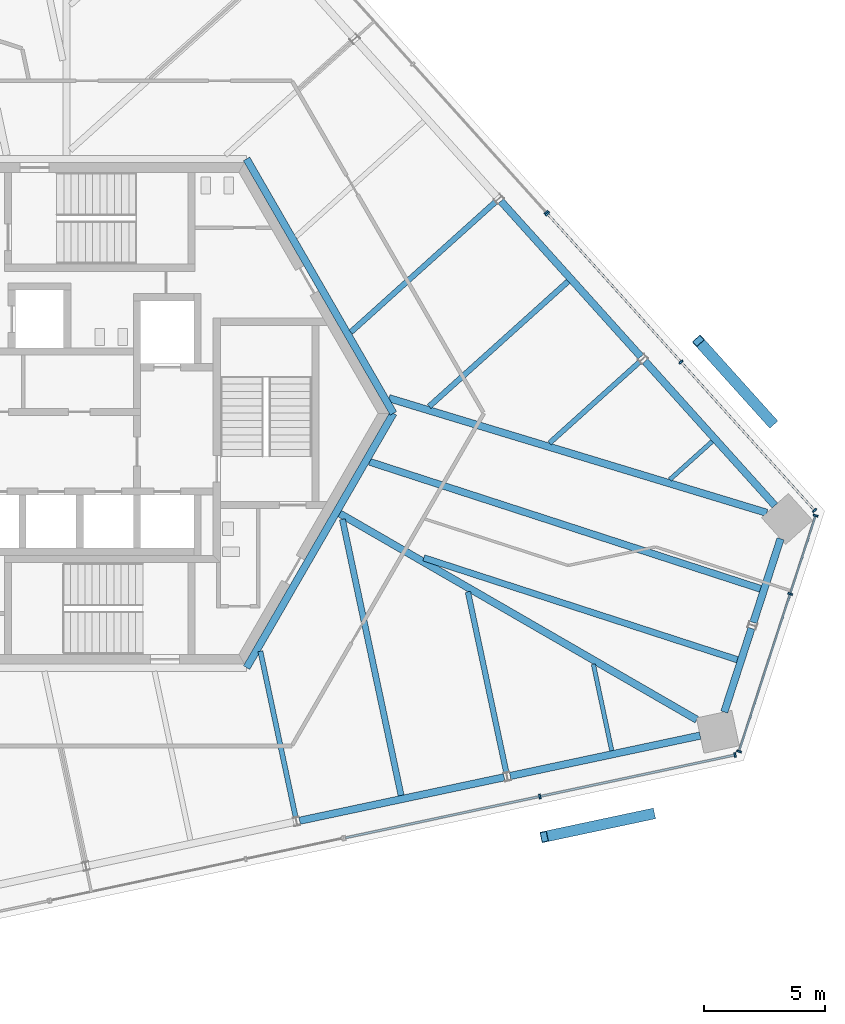
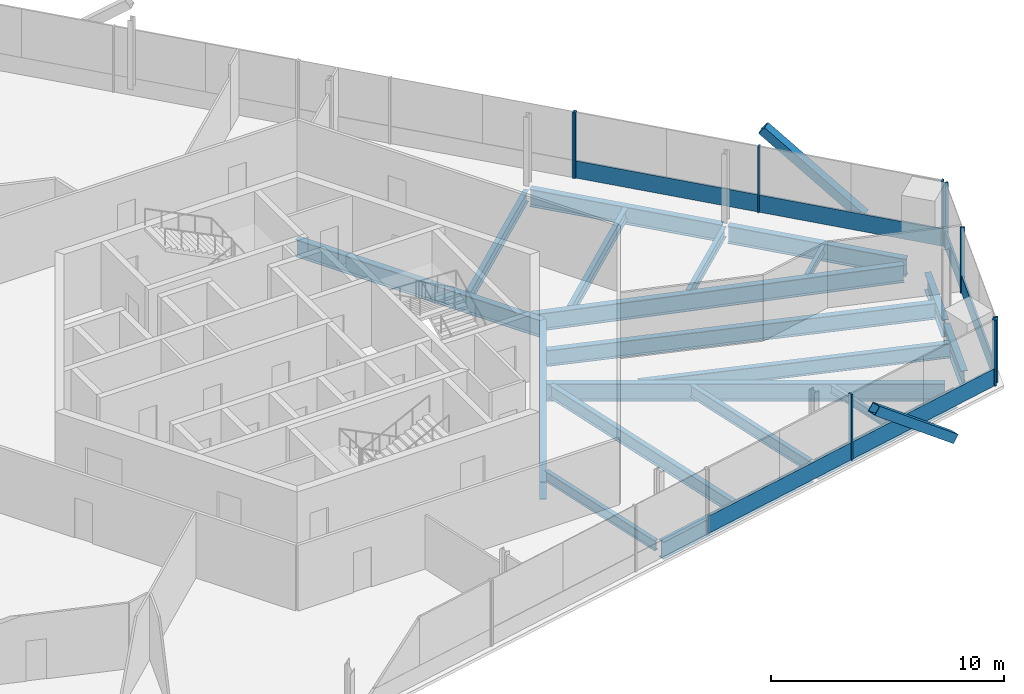
# One storey, part 6 of 14: 20 beams, 17 members, 4 elements without a shape of their own.
"""IFC4 building model written with IfcOpenShell, lengths in metres."""

from ifc_helpers import new_model, si_unit, direction, frame, origin, origin_2d, place, context, subcontext, project, spatial, rectangle, hollow_rectangle, i_section, extrude, source, transform, mapped, material, material_profile, profile_set, type_object, element, aggregate, save


model = new_model("IFC4")

# Units and contexts
model_context = context("Model", 3, precision=1e-05, world=origin(), true_north=direction((0.0, 1.0)))
body_context = subcontext(model_context, "Body", "Model", "MODEL_VIEW")
ifc_project = project(units=[si_unit("LENGTHUNIT", "METRE"), si_unit("AREAUNIT", "SQUARE_METRE"), si_unit("VOLUMEUNIT", "CUBIC_METRE"), si_unit("PLANEANGLEUNIT", "RADIAN"), si_unit("MASSUNIT", "GRAM", prefix="KILO")], contexts=[model_context])

# Site, building, storey
site_placement = place(None, origin())
site = spatial("IfcSite", under=ifc_project, at=site_placement, CompositionType="ELEMENT")
building_placement = place(site_placement, origin())
building = spatial("IfcBuilding", under=site, at=building_placement, Name="Triune Harvest Tower", CompositionType="ELEMENT")
storey_placement = place(building_placement, frame((0.0, 0.0, 263.10009765625)))
storey = spatial("IfcBuildingStorey", under=building, at=storey_placement, Name="L69", CompositionType="ELEMENT", Elevation=263.10009765625)

# Beams
ifc_material_1 = material(Name="Steel ASTM A992 Gr 50", Category="steel")
ifc_material_profile_1 = material_profile(ifc_material_1, i_section(OverallWidth=0.3046875, OverallDepth=0.914306640625, WebThickness=0.0166015625, FlangeThickness=0.02587890625, at=origin_2d()), Name="W36x160")
ifc_profile_set_1 = profile_set([ifc_material_profile_1], Name="Steel ASTM A992 Gr 50")
beam_type_1 = type_object("IfcBeamType", Name="CG-1 Core ring girder W36x160", PredefinedType="BEAM", material=ifc_profile_set_1)
shared_shape_1 = source(origin(), body_context, "Body", "SweptSolid", [
    extrude(i_section(OverallWidth=0.3046875, OverallDepth=0.914306640625, WebThickness=0.0166015625, FlangeThickness=0.02587890625, at=origin_2d()), origin(), (0.0, 0.0, 1.0), 12.176025390625),
])
for number, where, z_axis, x_axis, name in (
    (1, (12.176025390625, 0.0, -0.6171875), (-0.5000099932, 0.866019634131, 0.0), (-0.866019634131, -0.5000099932, 0.0), "beam/L69/CG1"),
    (2, (6.087890625, -10.544677734375, -0.6171875), (0.5000099932, 0.866019634131, 0.0), (-0.866019634131, 0.5000099932, 0.0), "beam/L69/CG6"),
):
    element("IfcBeam", number, at=place(storey_placement, frame(where, z_axis=z_axis, x_axis=x_axis)), inside=storey, type_object=beam_type_1, Name=name, PredefinedType="BEAM", context=body_context, shape_type="MappedRepresentation", body=[
        mapped(shared_shape_1, transform((0.0, 0.0, 0.0), scale=1.0)),
    ])
ifc_material_2 = material(Name="Steel ASTM A992 Gr 50", Category="steel")
ifc_material_profile_2 = material_profile(ifc_material_2, i_section(OverallWidth=0.3046875, OverallDepth=0.914306640625, WebThickness=0.0166015625, FlangeThickness=0.02587890625, at=origin_2d()), Name="W36x160")
ifc_profile_set_2 = profile_set([ifc_material_profile_2], Name="Steel ASTM A992 Gr 50")
beam_type_2 = type_object("IfcBeamType", Name="SB-1 Spandrel beam W36x160", PredefinedType="SPANDREL", material=ifc_profile_set_2)
shared_shape_2 = source(origin(), body_context, "Body", "SweptSolid", [
    extrude(i_section(OverallWidth=0.3046875, OverallDepth=0.914306640625, WebThickness=0.0166015625, FlangeThickness=0.02587890625, at=origin_2d()), origin(), (0.0, 0.0, 1.0), 8.0498046875),
])
beam_1_placement = place(storey_placement, frame((27.991455078125, -3.82177734375, -0.6171875), z_axis=(-0.669137301084, 0.743138797465, 0.0), x_axis=(-0.743138797465, -0.669137301084, 0.0)))
element("IfcBeam", 3, at=beam_1_placement, inside=storey, type_object=beam_type_2, Name="beam/L69/SB1", PredefinedType="SPANDREL", context=body_context, shape_type="MappedRepresentation", body=[
    mapped(shared_shape_2, transform((0.0, 0.0, 0.0), scale=1.0)),
])
shared_shape_3 = source(origin(), body_context, "Body", "SweptSolid", [
    extrude(i_section(OverallWidth=0.3046875, OverallDepth=0.914306640625, WebThickness=0.0166015625, FlangeThickness=0.02587890625, at=origin_2d()), origin(), (0.0, 0.0, 1.0), 8.671630859375),
])
beam_2_placement = place(storey_placement, frame((22.433349609375, 2.350830078125, -0.6171875), z_axis=(-0.669114044563, 0.743159737452, 0.0), x_axis=(-0.743159737452, -0.669114044563, 0.0)))
element("IfcBeam", 4, at=beam_2_placement, inside=storey, type_object=beam_type_2, Name="beam/L69/SB2", PredefinedType="SPANDREL", context=body_context, shape_type="MappedRepresentation", body=[
    mapped(shared_shape_3, transform((0.0, 0.0, 0.0), scale=1.0)),
])
shared_shape_4 = source(origin(), body_context, "Body", "SweptSolid", [
    extrude(i_section(OverallWidth=0.3046875, OverallDepth=0.914306640625, WebThickness=0.0166015625, FlangeThickness=0.02587890625, at=origin_2d()), origin(), (0.0, 0.0, 1.0), 8.67138671875),
])
beam_3_placement = place(storey_placement, frame((8.28515625, -16.890869140625, -0.6171875), z_axis=(0.978145539793, 0.207921386546, 0.0), x_axis=(-0.207921386546, 0.978145539793, 0.0)))
element("IfcBeam", 5, at=beam_3_placement, inside=storey, type_object=beam_type_2, Name="beam/L69/SB18", PredefinedType="SPANDREL", context=body_context, shape_type="MappedRepresentation", body=[
    mapped(shared_shape_4, transform((0.0, 0.0, 0.0), scale=1.0)),
])
shared_shape_5 = source(origin(), body_context, "Body", "SweptSolid", [
    extrude(i_section(OverallWidth=0.3046875, OverallDepth=0.914306640625, WebThickness=0.0166015625, FlangeThickness=0.02587890625, at=origin_2d()), origin(), (0.0, 0.0, 1.0), 3.645751953125),
])
for number, where, z_axis, x_axis, name in (
    (6, (25.89306640625, -12.38134765625, -0.6171875), (0.309046702753, 0.951046862945, 0.0), (-0.951046862945, 0.309046702753, 0.0), "beam/L69/SB20"),
    (7, (27.09912109375, -8.670166015625, -0.6171875), (0.308986131058, 0.951066543841, 0.0), (-0.951066543841, 0.308986131058, 0.0), "beam/L69/SB21"),
):
    element("IfcBeam", number, at=place(storey_placement, frame(where, z_axis=z_axis, x_axis=x_axis)), inside=storey, type_object=beam_type_2, Name=name, PredefinedType="SPANDREL", context=body_context, shape_type="MappedRepresentation", body=[
        mapped(shared_shape_5, transform((0.0, 0.0, 0.0), scale=1.0)),
    ])
shared_shape_6 = source(origin(), body_context, "Body", "SweptSolid", [
    extrude(i_section(OverallWidth=0.3046875, OverallDepth=0.914306640625, WebThickness=0.0166015625, FlangeThickness=0.02587890625, at=origin_2d()), origin(), (0.0, 0.0, 1.0), 8.049560546875),
])
beam_4_placement = place(storey_placement, frame((17.01806640625, -15.034423828125, -0.6171875), z_axis=(0.978148597907, 0.207906999431, 0.0), x_axis=(-0.207906999431, 0.978148597907, 0.0)))
element("IfcBeam", 8, at=beam_4_placement, inside=storey, type_object=beam_type_2, Name="beam/L69/SB19", PredefinedType="SPANDREL", context=body_context, shape_type="MappedRepresentation", body=[
    mapped(shared_shape_6, transform((0.0, 0.0, 0.0), scale=1.0)),
])
ifc_material_3 = material(Name="Steel ASTM A992 Gr 50", Category="steel")
ifc_material_profile_3 = material_profile(ifc_material_3, i_section(OverallWidth=0.3046875, OverallDepth=0.914306640625, WebThickness=0.0166015625, FlangeThickness=0.02587890625, at=origin_2d()), Name="W36x160")
ifc_profile_set_3 = profile_set([ifc_material_profile_3], Name="Steel ASTM A992 Gr 50")
beam_type_3 = type_object("IfcBeamType", Name="HG-3 Hip girder W36x160", PredefinedType="BEAM", material=ifc_profile_set_3)
shared_shape_7 = source(origin(), body_context, "Body", "SweptSolid", [
    extrude(i_section(OverallWidth=0.3046875, OverallDepth=0.914306640625, WebThickness=0.0166015625, FlangeThickness=0.02587890625, at=origin_2d()), origin(), (0.0, 0.0, 1.0), 16.370361328125),
])
beam_5_placement = place(storey_placement, frame((27.65478515625, -4.124755859375, -0.6171875), z_axis=(-0.956924757428, 0.29033602708, 0.0), x_axis=(-0.29033602708, -0.956924757428, 0.0)))
element("IfcBeam", 9, at=beam_5_placement, inside=storey, type_object=beam_type_3, Name="beam/L69/HG1", PredefinedType="BEAM", context=body_context, shape_type="MappedRepresentation", body=[
    mapped(shared_shape_7, transform((0.0, 0.0, 0.0), scale=1.0)),
])
shared_shape_8 = source(origin(), body_context, "Body", "SweptSolid", [
    extrude(i_section(OverallWidth=0.3046875, OverallDepth=0.914306640625, WebThickness=0.0166015625, FlangeThickness=0.02587890625, at=origin_2d()), origin(), (0.0, 0.0, 1.0), 17.088623046875),
])
beam_6_placement = place(storey_placement, frame((24.75146484375, -12.700439453125, -0.6171875), z_axis=(-0.866020709961, 0.500008129852, 0.0), x_axis=(-0.500008129852, -0.866020709961, 0.0)))
element("IfcBeam", 10, at=beam_6_placement, inside=storey, type_object=beam_type_3, Name="beam/L69/HG8", PredefinedType="BEAM", context=body_context, shape_type="MappedRepresentation", body=[
    mapped(shared_shape_8, transform((0.0, 0.0, 0.0), scale=1.0)),
])
ifc_material_4 = material(Name="Steel ASTM A992 Gr 50", Category="steel")
ifc_material_profile_4 = material_profile(ifc_material_4, i_section(OverallWidth=0.180908203125, OverallDepth=0.41650390625, WebThickness=0.010986328125, FlangeThickness=0.01806640625, at=origin_2d()), Name="W16x57")
ifc_profile_set_4 = profile_set([ifc_material_profile_4], Name="Steel ASTM A992 Gr 50")
beam_type_4 = type_object("IfcBeamType", Name="JT-1 Floor joist W16x57", PredefinedType="JOIST", material=ifc_profile_set_4)
shared_shape_9 = source(origin(), body_context, "Body", "SweptSolid", [
    extrude(i_section(OverallWidth=0.180908203125, OverallDepth=0.41650390625, WebThickness=0.010986328125, FlangeThickness=0.01806640625, at=origin_2d()), origin(), (0.0, 0.0, 1.0), 2.364990234375),
])
beam_7_placement = place(storey_placement, frame((25.39306640625, -1.163818359375, -0.368408203125), z_axis=(-0.743196605909, -0.669073093888, 0.0), x_axis=(0.669073093888, -0.743196605909, 0.0)))
element("IfcBeam", 11, at=beam_7_placement, inside=storey, type_object=beam_type_4, Name="beam/L69/JT1", PredefinedType="JOIST", context=body_context, shape_type="MappedRepresentation", body=[
    mapped(shared_shape_9, transform((0.0, 0.0, 0.0), scale=1.0)),
])
ifc_material_5 = material(Name="Steel ASTM A992 Gr 50", Category="steel")
ifc_material_profile_5 = material_profile(ifc_material_5, i_section(OverallWidth=0.2099609375, OverallDepth=0.535888671875, WebThickness=0.010986328125, FlangeThickness=0.017333984375, at=origin_2d()), Name="W21x68")
ifc_profile_set_5 = profile_set([ifc_material_profile_5], Name="Steel ASTM A992 Gr 50")
beam_type_5 = type_object("IfcBeamType", Name="JT-2 Floor joist W21x68", PredefinedType="JOIST", material=ifc_profile_set_5)
shared_shape_10 = source(origin(), body_context, "Body", "SweptSolid", [
    extrude(i_section(OverallWidth=0.2099609375, OverallDepth=0.535888671875, WebThickness=0.010986328125, FlangeThickness=0.017333984375, at=origin_2d()), origin(), (0.0, 0.0, 1.0), 5.031982421875),
])
beam_8_placement = place(storey_placement, frame((22.38525390625, 2.135009765625, -0.427978515625), z_axis=(-0.743132491089, -0.669144304831, 0.0), x_axis=(0.669144304831, -0.743132491089, 0.0)))
element("IfcBeam", 12, at=beam_8_placement, inside=storey, type_object=beam_type_5, Name="beam/L69/JT2", PredefinedType="JOIST", context=body_context, shape_type="MappedRepresentation", body=[
    mapped(shared_shape_10, transform((0.0, 0.0, 0.0), scale=1.0)),
])
ifc_material_6 = material(Name="Steel ASTM A992 Gr 50", Category="steel")
ifc_material_profile_6 = material_profile(ifc_material_6, i_section(OverallWidth=0.22900390625, OverallDepth=0.612060546875, WebThickness=0.011962890625, FlangeThickness=0.01953125, at=origin_2d()), Name="W24x84")
ifc_profile_set_6 = profile_set([ifc_material_profile_6], Name="Steel ASTM A992 Gr 50")
beam_type_6 = type_object("IfcBeamType", Name="JT-3 Floor joist W24x84", PredefinedType="JOIST", material=ifc_profile_set_6)
shared_shape_11 = source(origin(), body_context, "Body", "SweptSolid", [
    extrude(i_section(OverallWidth=0.22900390625, OverallDepth=0.612060546875, WebThickness=0.011962890625, FlangeThickness=0.01953125, at=origin_2d()), origin(), (0.0, 0.0, 1.0), 7.755126953125),
])
beam_9_placement = place(storey_placement, frame((19.4189453125, 5.470947265625, -0.46630859375), z_axis=(-0.743143852868, -0.66913168655, 0.0), x_axis=(0.66913168655, -0.743143852868, 0.0)))
element("IfcBeam", 13, at=beam_9_placement, inside=storey, type_object=beam_type_6, Name="beam/L69/JT3", PredefinedType="JOIST", context=body_context, shape_type="MappedRepresentation", body=[
    mapped(shared_shape_11, transform((0.0, 0.0, 0.0), scale=1.0)),
])
shared_shape_12 = source(origin(), body_context, "Body", "SweptSolid", [
    extrude(i_section(OverallWidth=0.22900390625, OverallDepth=0.612060546875, WebThickness=0.011962890625, FlangeThickness=0.01953125, at=origin_2d()), origin(), (0.0, 0.0, 1.0), 8.076904296875),
])
beam_10_placement = place(storey_placement, frame((16.4111328125, 8.769775390625, -0.46630859375), z_axis=(-0.743136309392, -0.669140064308, 0.0), x_axis=(0.669140064308, -0.743136309392, 0.0)))
element("IfcBeam", 14, at=beam_10_placement, inside=storey, type_object=beam_type_6, Name="beam/L69/JT4", PredefinedType="JOIST", context=body_context, shape_type="MappedRepresentation", body=[
    mapped(shared_shape_12, transform((0.0, 0.0, 0.0), scale=1.0)),
])
shared_shape_13 = source(origin(), body_context, "Body", "SweptSolid", [
    extrude(i_section(OverallWidth=0.2099609375, OverallDepth=0.535888671875, WebThickness=0.010986328125, FlangeThickness=0.017333984375, at=origin_2d()), origin(), (0.0, 0.0, 1.0), 7.035400390625),
])
beam_11_placement = place(storey_placement, frame((8.122314453125, -16.7412109375, -0.427978515625), z_axis=(-0.207933876112, 0.978142884841, 0.0), x_axis=(-0.978142884841, -0.207933876112, 0.0)))
element("IfcBeam", 15, at=beam_11_placement, inside=storey, type_object=beam_type_5, Name="beam/L69/JT28", PredefinedType="JOIST", context=body_context, shape_type="MappedRepresentation", body=[
    mapped(shared_shape_13, transform((0.0, 0.0, 0.0), scale=1.0)),
])
ifc_material_7 = material(Name="Steel ASTM A992 Gr 50", Category="steel")
ifc_material_profile_7 = material_profile(ifc_material_7, i_section(OverallWidth=0.253662109375, OverallDepth=0.683349609375, WebThickness=0.012451171875, FlangeThickness=0.01904296875, at=origin_2d()), Name="W27x94")
ifc_profile_set_7 = profile_set([ifc_material_profile_7], Name="Steel ASTM A992 Gr 50")
beam_type_7 = type_object("IfcBeamType", Name="JT-4 Floor joist W27x94", PredefinedType="JOIST", material=ifc_profile_set_7)
shared_shape_14 = source(origin(), body_context, "Body", "SweptSolid", [
    extrude(i_section(OverallWidth=0.253662109375, OverallDepth=0.683349609375, WebThickness=0.012451171875, FlangeThickness=0.01904296875, at=origin_2d()), origin(), (0.0, 0.0, 1.0), 11.70068359375),
])
beam_12_placement = place(storey_placement, frame((12.494384765625, -15.84033203125, -0.501708984375), z_axis=(-0.207902925765, 0.978149463762, 0.0), x_axis=(-0.978149463762, -0.207902925765, 0.0)))
element("IfcBeam", 16, at=beam_12_placement, inside=storey, type_object=beam_type_7, Name="beam/L69/JT29", PredefinedType="JOIST", context=body_context, shape_type="MappedRepresentation", body=[
    mapped(shared_shape_14, transform((0.0, 0.0, 0.0), scale=1.0)),
])
shared_shape_15 = source(origin(), body_context, "Body", "SweptSolid", [
    extrude(i_section(OverallWidth=0.22900390625, OverallDepth=0.612060546875, WebThickness=0.011962890625, FlangeThickness=0.01953125, at=origin_2d()), origin(), (0.0, 0.0, 1.0), 7.6533203125),
])
beam_13_placement = place(storey_placement, frame((16.85498046875, -14.884765625, -0.46630859375), z_axis=(-0.207892711211, 0.978151634781, 0.0), x_axis=(-0.978151634781, -0.207892711211, 0.0)))
element("IfcBeam", 17, at=beam_13_placement, inside=storey, type_object=beam_type_6, Name="beam/L69/JT30", PredefinedType="JOIST", context=body_context, shape_type="MappedRepresentation", body=[
    mapped(shared_shape_15, transform((0.0, 0.0, 0.0), scale=1.0)),
])
shared_shape_16 = source(origin(), body_context, "Body", "SweptSolid", [
    extrude(i_section(OverallWidth=0.180908203125, OverallDepth=0.41650390625, WebThickness=0.010986328125, FlangeThickness=0.01806640625, at=origin_2d()), origin(), (0.0, 0.0, 1.0), 3.661865234375),
])
beam_14_placement = place(storey_placement, frame((21.227294921875, -13.98388671875, -0.368408203125), z_axis=(-0.20788506993, 0.9781532588, 0.0), x_axis=(-0.9781532588, -0.20788506993, 0.0)))
element("IfcBeam", 18, at=beam_14_placement, inside=storey, type_object=beam_type_4, Name="beam/L69/JT31", PredefinedType="JOIST", context=body_context, shape_type="MappedRepresentation", body=[
    mapped(shared_shape_16, transform((0.0, 0.0, 0.0), scale=1.0)),
])
ifc_material_8 = material(Name="Steel ASTM A992 Gr 50", Category="steel")
ifc_material_profile_8 = material_profile(ifc_material_8, i_section(OverallWidth=0.2666015625, OverallDepth=0.7568359375, WebThickness=0.013916015625, FlangeThickness=0.019287109375, at=origin_2d()), Name="W30x108")
ifc_profile_set_8 = profile_set([ifc_material_profile_8], Name="Steel ASTM A992 Gr 50")
beam_type_8 = type_object("IfcBeamType", Name="JT-5 Floor joist W30x108", PredefinedType="JOIST", material=ifc_profile_set_8)
shared_shape_17 = source(origin(), body_context, "Body", "SweptSolid", [
    extrude(i_section(OverallWidth=0.2666015625, OverallDepth=0.7568359375, WebThickness=0.013916015625, FlangeThickness=0.019287109375, at=origin_2d()), origin(), (0.0, 0.0, 1.0), 13.667724609375),
])
beam_15_placement = place(storey_placement, frame((26.4365234375, -10.216064453125, -0.53857421875), z_axis=(-0.951054938162, 0.309021851327, 0.0), x_axis=(-0.309021851327, -0.951054938162, 0.0)))
element("IfcBeam", 19, at=beam_15_placement, inside=storey, type_object=beam_type_8, Name="beam/L69/JT32", PredefinedType="JOIST", context=body_context, shape_type="MappedRepresentation", body=[
    mapped(shared_shape_17, transform((0.0, 0.0, 0.0), scale=1.0)),
])
ifc_material_9 = material(Name="Steel ASTM A992 Gr 50", Category="steel")
ifc_material_profile_9 = material_profile(ifc_material_9, i_section(OverallWidth=0.2919921875, OverallDepth=0.8408203125, WebThickness=0.0146484375, FlangeThickness=0.021728515625, at=origin_2d()), Name="W33x130")
ifc_profile_set_9 = profile_set([ifc_material_profile_9], Name="Steel ASTM A992 Gr 50")
beam_type_9 = type_object("IfcBeamType", Name="JT-6 Floor joist W33x130", PredefinedType="JOIST", material=ifc_profile_set_9)
shared_shape_18 = source(origin(), body_context, "Body", "SweptSolid", [
    extrude(i_section(OverallWidth=0.2919921875, OverallDepth=0.8408203125, WebThickness=0.0146484375, FlangeThickness=0.021728515625, at=origin_2d()), origin(), (0.0, 0.0, 1.0), 17.03466796875),
])
beam_16_placement = place(storey_placement, frame((27.392333984375, -7.27392578125, -0.58056640625), z_axis=(-0.951057974177, 0.30901250744, 0.0), x_axis=(-0.30901250744, -0.951057974177, 0.0)))
element("IfcBeam", 20, at=beam_16_placement, inside=storey, type_object=beam_type_9, Name="beam/L69/JT33", PredefinedType="JOIST", context=body_context, shape_type="MappedRepresentation", body=[
    mapped(shared_shape_18, transform((0.0, 0.0, 0.0), scale=1.0)),
])

# Members
ifc_material_10 = material(Name="Steel ASTM A572 Gr 50", Category="steel")
ifc_material_profile_10 = material_profile(ifc_material_10, hollow_rectangle(XDim=0.449951171875, YDim=0.449951171875, WallThickness=0.02490234375, at=origin_2d()), Name="Box 450x450x25")
ifc_profile_set_10 = profile_set([ifc_material_profile_10], Name="Steel ASTM A572 Gr 50")
member_type_1 = type_object("IfcMemberType", Name="BR-4 Brace Box 450x450x25", PredefinedType="BRACE", material=ifc_profile_set_10)
shared_shape_19 = source(origin(), body_context, "Body", "SweptSolid", [
    extrude(hollow_rectangle(XDim=0.449951171875, YDim=0.449951171875, WallThickness=0.02490234375, at=origin_2d()), origin(), (0.0, 0.0, 1.0), 5.789306640625),
])
member_1_placement = place(storey_placement, frame((27.852294921875, -0.36376953125, 0.0), z_axis=(-0.524024874099, 0.582010887448, 0.621820921341), x_axis=(-0.743157576749, -0.669116444365, 0.0)))
element("IfcMember", 21, at=member_1_placement, inside=storey, type_object=member_type_1, Name="brace/B7-F1/d1/2", PredefinedType="BRACE", context=body_context, shape_type="MappedRepresentation", body=[
    mapped(shared_shape_19, transform((0.0, 0.0, 0.0), scale=1.0)),
])
shared_shape_20 = source(origin(), body_context, "Body", "SweptSolid", [
    extrude(hollow_rectangle(XDim=0.449951171875, YDim=0.449951171875, WallThickness=0.02490234375, at=origin_2d()), origin(), (0.0, 0.0, 1.0), 5.7890625),
])
member_2_placement = place(storey_placement, frame((22.861083984375, -16.614990234375, 0.0), z_axis=(-0.766029525278, -0.162829773018, 0.621840197656), x_axis=(0.207918008245, -0.978146257902, 0.0)))
element("IfcMember", 22, at=member_2_placement, inside=storey, type_object=member_type_1, Name="brace/B7-F5/d2/2", PredefinedType="BRACE", context=body_context, shape_type="MappedRepresentation", body=[
    mapped(shared_shape_20, transform((0.0, 0.0, 0.0), scale=1.0)),
])

# Curtain wall, members
ifc_material_11 = material(Name="Aluminium bronze anodised", Category="aluminium")
curtain_wall_type_1 = type_object("IfcCurtainWallType", Name="CW-7 Tower stick curtain wall with insulated spandrel infill", PredefinedType="NOTDEFINED", material=ifc_material_11)
curtain_wall_1_placement = place(storey_placement, origin())
curtain_wall_1 = element("IfcCurtainWall", 23, at=curtain_wall_1_placement, inside=storey, type_object=curtain_wall_type_1, Name="CW-7 B7-F1 L69 run 1")
ifc_material_12 = material(Name="Aluminium bronze anodised", Category="aluminium")
ifc_material_profile_11 = material_profile(ifc_material_12, rectangle(XDim=0.199951171875, YDim=0.074951171875, at=origin_2d()), Name="MU-1 mullion 75 x 200")
ifc_profile_set_11 = profile_set([ifc_material_profile_11], Name="Aluminium bronze anodised")
member_type_2 = type_object("IfcMemberType", Name="MU-1 mullion 75 x 200", PredefinedType="MULLION", material=ifc_profile_set_11)
shared_shape_21 = source(origin(), body_context, "Body", "SweptSolid", [
    extrude(rectangle(XDim=0.199951171875, YDim=0.074951171875, at=origin_2d()), origin(), (0.0, 0.0, 1.0), 3.43994140625),
])
member_3_placement = place(storey_placement, frame((29.634033203125, -4.023681640625, 0.0), z_axis=(0.0, 0.0, 1.0), x_axis=(-0.743141787662, -0.66913398018, 0.0)))
member_3 = element("IfcMember", 24, at=member_3_placement, type_object=member_type_2, Name="CW-7 mullion B7-F1 1.1", PredefinedType="MULLION", context=body_context, shape_type="MappedRepresentation", body=[
    mapped(shared_shape_21, transform((0.0, 0.0, 0.0), scale=1.0)),
])
member_4_placement = place(storey_placement, frame((24.09765625, 2.125, 0.0), z_axis=(0.0, 0.0, 1.0), x_axis=(-0.743141787662, -0.66913398018, 0.0)))
member_4 = element("IfcMember", 25, at=member_4_placement, type_object=member_type_2, Name="CW-7 mullion B7-F1 1.3", PredefinedType="MULLION", context=body_context, shape_type="MappedRepresentation", body=[
    mapped(shared_shape_21, transform((0.0, 0.0, 0.0), scale=1.0)),
])
member_5_placement = place(storey_placement, frame((18.561279296875, 8.27392578125, 0.0), z_axis=(0.0, 0.0, 1.0), x_axis=(-0.743141787662, -0.66913398018, 0.0)))
member_5 = element("IfcMember", 26, at=member_5_placement, type_object=member_type_2, Name="CW-7 mullion B7-F1 1.5", PredefinedType="MULLION", context=body_context, shape_type="MappedRepresentation", body=[
    mapped(shared_shape_21, transform((0.0, 0.0, 0.0), scale=1.0)),
])

# Curtain wall, member
ifc_material_13 = material(Name="Aluminium bronze anodised", Category="aluminium")
curtain_wall_type_2 = type_object("IfcCurtainWallType", Name="CW-1 Tower stick curtain wall", PredefinedType="NOTDEFINED", material=ifc_material_13)
curtain_wall_2_placement = place(storey_placement, origin())
curtain_wall_2 = element("IfcCurtainWall", 27, at=curtain_wall_2_placement, inside=storey, type_object=curtain_wall_type_2, Name="CW-1 B7-F1 L69 run 1001")
member_6_placement = place(storey_placement, frame((18.510986328125, 8.32958984375, 0.0), z_axis=(0.0, 0.0, 1.0), x_axis=(-0.743150150549, -0.66912469222, 0.0)))
member_6 = element("IfcMember", 28, at=member_6_placement, type_object=member_type_2, Name="CW-1 mullion B7-F1 1001.1", PredefinedType="MULLION", context=body_context, shape_type="MappedRepresentation", body=[
    mapped(shared_shape_21, transform((0.0, 0.0, 0.0), scale=1.0)),
])
aggregate(curtain_wall_2, [member_6])

# Curtain wall, members
curtain_wall_3_placement = place(storey_placement, origin())
curtain_wall_3 = element("IfcCurtainWall", 29, at=curtain_wall_3_placement, inside=storey, type_object=curtain_wall_type_1, Name="CW-7 B7-F5 L69 run 2001")
member_7_placement = place(storey_placement, frame((18.246337890625, -15.88330078125, 0.0), z_axis=(0.0, 0.0, 1.0), x_axis=(-0.2079086203, 0.978148253388, 0.0)))
member_7 = element("IfcMember", 30, at=member_7_placement, type_object=member_type_2, Name="CW-7 mullion B7-F5 2001.3", PredefinedType="MULLION", context=body_context, shape_type="MappedRepresentation", body=[
    mapped(shared_shape_21, transform((0.0, 0.0, 0.0), scale=1.0)),
])
member_8_placement = place(storey_placement, frame((26.339599609375, -14.1630859375, 0.0), z_axis=(0.0, 0.0, 1.0), x_axis=(-0.2079086203, 0.978148253388, 0.0)))
member_8 = element("IfcMember", 31, at=member_8_placement, type_object=member_type_2, Name="CW-7 mullion B7-F5 2001.5", PredefinedType="MULLION", context=body_context, shape_type="MappedRepresentation", body=[
    mapped(shared_shape_21, transform((0.0, 0.0, 0.0), scale=1.0)),
])

curtain_wall_4_placement = place(storey_placement, origin())
curtain_wall_4 = element("IfcCurtainWall", 32, at=curtain_wall_4_placement, inside=storey, type_object=curtain_wall_type_2, Name="CW-1 B7-F6 L69 run 1")
member_9_placement = place(storey_placement, frame((26.503662109375, -14.015380859375, 0.0), z_axis=(0.0, 0.0, 1.0), x_axis=(-0.951055902733, 0.309018882717, 0.0)))
member_9 = element("IfcMember", 33, at=member_9_placement, type_object=member_type_2, Name="CW-1 mullion B7-F6 1.1", PredefinedType="MULLION", context=body_context, shape_type="MappedRepresentation", body=[
    mapped(shared_shape_21, transform((0.0, 0.0, 0.0), scale=1.0)),
])
member_10_placement = place(storey_placement, frame((28.625, -7.486328125, 0.0), z_axis=(0.0, 0.0, 1.0), x_axis=(-0.951055902733, 0.309018882717, 0.0)))
member_10 = element("IfcMember", 34, at=member_10_placement, type_object=member_type_2, Name="CW-1 mullion B7-F6 1.3", PredefinedType="MULLION", context=body_context, shape_type="MappedRepresentation", body=[
    mapped(shared_shape_21, transform((0.0, 0.0, 0.0), scale=1.0)),
])
member_11_placement = place(storey_placement, frame((29.679931640625, -4.23974609375, 0.0), z_axis=(0.0, 0.0, 1.0), x_axis=(-0.951055902733, 0.309018882717, 0.0)))
member_11 = element("IfcMember", 35, at=member_11_placement, type_object=member_type_2, Name="CW-1 mullion B7-F6 1.4", PredefinedType="MULLION", context=body_context, shape_type="MappedRepresentation", body=[
    mapped(shared_shape_21, transform((0.0, 0.0, 0.0), scale=1.0)),
])
ifc_material_14 = material(Name="Aluminium bronze anodised", Category="aluminium")
ifc_material_profile_12 = material_profile(ifc_material_14, rectangle(XDim=0.090087890625, YDim=0.89990234375, at=origin_2d()), Name="TR-1 transom 90 x 900")
ifc_profile_set_12 = profile_set([ifc_material_profile_12], Name="Aluminium bronze anodised")
member_type_3 = type_object("IfcMemberType", Name="TR-1 transom 90 x 900", PredefinedType="USERDEFINED", material=ifc_profile_set_12)
shared_shape_22 = source(origin(), body_context, "Body", "SweptSolid", [
    extrude(rectangle(XDim=0.090087890625, YDim=0.89990234375, at=origin_2d()), origin(), (0.0, 0.0, 1.0), 6.7900390625),
])
member_12_placement = place(storey_placement, frame((26.515380859375, -13.979736328125, 0.449951171875), z_axis=(0.309002330593, 0.951061280722, 0.0), x_axis=(-0.951061280722, 0.309002330593, 0.0)))
member_12 = element("IfcMember", 36, at=member_12_placement, type_object=member_type_3, Name="CW-1 transom B7-F6 1.1", ObjectType="TRANSOM", PredefinedType="USERDEFINED", context=body_context, shape_type="MappedRepresentation", body=[
    mapped(shared_shape_22, transform((0.0, 0.0, 0.0), scale=1.0)),
])
shared_shape_23 = source(origin(), body_context, "Body", "SweptSolid", [
    extrude(rectangle(XDim=0.090087890625, YDim=0.89990234375, at=origin_2d()), origin(), (0.0, 0.0, 1.0), 3.338623046875),
])
member_13_placement = place(storey_placement, frame((28.63671875, -7.45068359375, 0.449951171875), z_axis=(0.309023240166, 0.951054486892, 0.0), x_axis=(-0.951054486892, 0.309023240166, 0.0)))
member_13 = element("IfcMember", 37, at=member_13_placement, type_object=member_type_3, Name="CW-1 transom B7-F6 1.2", ObjectType="TRANSOM", PredefinedType="USERDEFINED", context=body_context, shape_type="MappedRepresentation", body=[
    mapped(shared_shape_23, transform((0.0, 0.0, 0.0), scale=1.0)),
])
aggregate(curtain_wall_4, [member_9, member_10, member_11, member_12, member_13])

# Member
shared_shape_24 = source(origin(), body_context, "Body", "SweptSolid", [
    extrude(rectangle(XDim=0.090087890625, YDim=0.89990234375, at=origin_2d()), origin(), (0.0, 0.0, 1.0), 8.198974609375),
])
member_14_placement = place(storey_placement, frame((29.60888671875, -3.995849609375, 0.449951171875), z_axis=(-0.669124295874, 0.743150507415, 0.0), x_axis=(-0.743150507415, -0.669124295874, 0.0)))
member_14 = element("IfcMember", 38, at=member_14_placement, type_object=member_type_3, Name="CW-7 transom B7-F1 1.1", ObjectType="TRANSOM", PredefinedType="USERDEFINED", context=body_context, shape_type="MappedRepresentation", body=[
    mapped(shared_shape_24, transform((0.0, 0.0, 0.0), scale=1.0)),
])

member_15_placement = place(storey_placement, frame((24.072509765625, 2.15283203125, 0.449951171875), z_axis=(-0.669140740537, 0.743135700497, 0.0), x_axis=(-0.743135700497, -0.669140740537, 0.0)))
member_15 = element("IfcMember", 39, at=member_15_placement, type_object=member_type_3, Name="CW-7 transom B7-F1 1.2", ObjectType="TRANSOM", PredefinedType="USERDEFINED", context=body_context, shape_type="MappedRepresentation", body=[
    mapped(shared_shape_24, transform((0.0, 0.0, 0.0), scale=1.0)),
])

aggregate(curtain_wall_1, [member_3, member_4, member_5, member_14, member_15])

shared_shape_25 = source(origin(), body_context, "Body", "SweptSolid", [
    extrude(rectangle(XDim=0.090087890625, YDim=0.89990234375, at=origin_2d()), origin(), (0.0, 0.0, 1.0), 8.19921875),
])
member_16_placement = place(storey_placement, frame((10.189697265625, -17.595703125, 0.449951171875), z_axis=(0.978150525776, 0.207897929101, 0.0), x_axis=(-0.207897929101, 0.978150525776, 0.0)))
member_16 = element("IfcMember", 40, at=member_16_placement, type_object=member_type_3, Name="CW-7 transom B7-F5 2001.1", ObjectType="TRANSOM", PredefinedType="USERDEFINED", context=body_context, shape_type="MappedRepresentation", body=[
    mapped(shared_shape_25, transform((0.0, 0.0, 0.0), scale=1.0)),
])

member_17_placement = place(storey_placement, frame((18.282958984375, -15.87548828125, 0.449951171875), z_axis=(0.978150525776, 0.207897929101, 0.0), x_axis=(-0.207897929101, 0.978150525776, 0.0)))
member_17 = element("IfcMember", 41, at=member_17_placement, type_object=member_type_3, Name="CW-7 transom B7-F5 2001.2", ObjectType="TRANSOM", PredefinedType="USERDEFINED", context=body_context, shape_type="MappedRepresentation", body=[
    mapped(shared_shape_25, transform((0.0, 0.0, 0.0), scale=1.0)),
])

aggregate(curtain_wall_3, [member_7, member_8, member_16, member_17])

save(model, "model.ifc")
